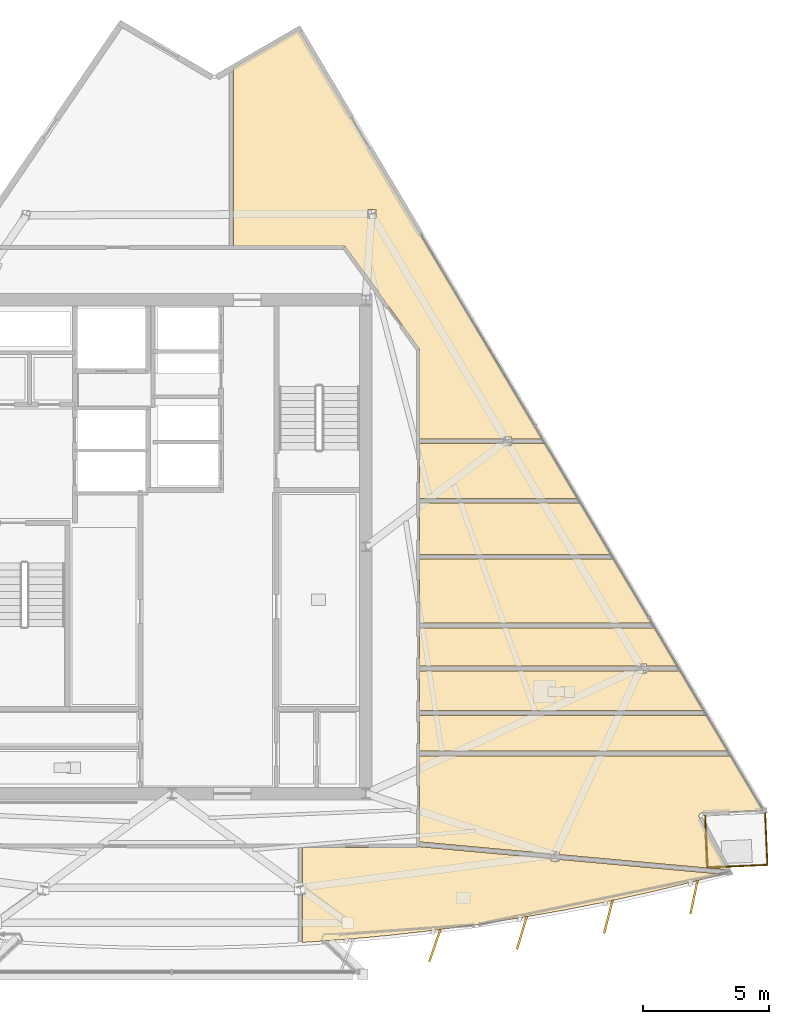
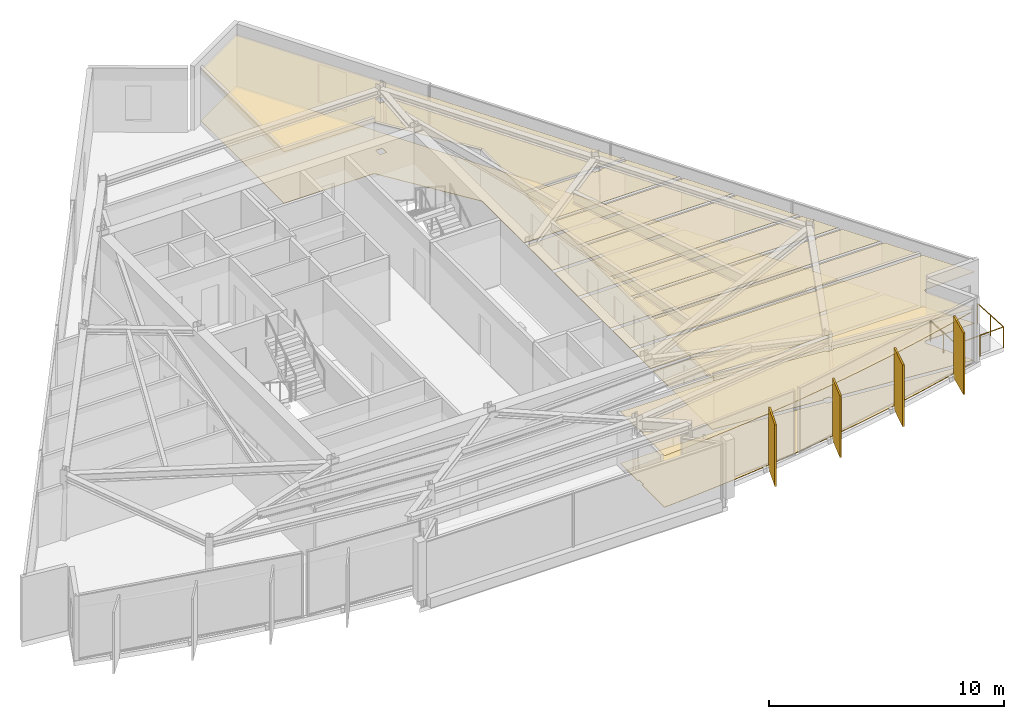
# One storey, part 12 of 13: 18 coverings, 4 shading devices, 3 railings.
"""IFC4 building model written with IfcOpenShell, lengths in metres."""

from ifc_helpers import new_model, si_unit, direction, frame, origin, origin_2d, place, context, subcontext, project, spatial, polyline, rectangle, circle, outline, extrude, material, layer, layer_set, type_object, element, save


model = new_model("IFC4")

# Units and contexts
model_context = context("Model", 3, precision=1e-05, world=origin(), true_north=direction((0.0, 1.0)))
body_context = subcontext(model_context, "Body", "Model", "MODEL_VIEW")
ifc_project = project(units=[si_unit("LENGTHUNIT", "METRE"), si_unit("AREAUNIT", "SQUARE_METRE"), si_unit("VOLUMEUNIT", "CUBIC_METRE"), si_unit("PLANEANGLEUNIT", "RADIAN"), si_unit("MASSUNIT", "GRAM", prefix="KILO")], contexts=[model_context])

# Site, building, storey
site_placement = place(None, origin())
site = spatial("IfcSite", under=ifc_project, at=site_placement, CompositionType="ELEMENT")
building_placement = place(site_placement, origin())
building = spatial("IfcBuilding", under=site, at=building_placement, Name="Savorim Split Tower", CompositionType="ELEMENT")
storey_placement = place(building_placement, frame((0.0, 0.0, 283.199951171875)))
storey = spatial("IfcBuildingStorey", under=building, at=storey_placement, Name="L75", CompositionType="ELEMENT", Elevation=283.199951171875)

# Coverings
ifc_material_1 = material(Name="Mineral Fibre Acoustic Ceiling")
ifc_layer_1 = layer(ifc_material_1, 0.02490234375)
ifc_layer_set_1 = layer_set([ifc_layer_1], Name="COV-CEIL-25")
covering_type_1 = type_object("IfcCoveringType", Name="COV-CEIL-25", PredefinedType="CEILING", material=ifc_layer_set_1)
covering_1_placement = place(storey_placement, frame((0.0, 0.0, 2.670166015625)))
element("IfcCovering", 1, at=covering_1_placement, inside=storey, type_object=covering_type_1, Name="L75 Communal Kitchen Acoustic Ceiling", PredefinedType="CEILING", context=body_context, shape_type="SweptSolid", body=[
    extrude(outline(polyline([(15.5078125, -14.036865234375), (17.2080078125, -13.7021484375), (18.90087890625, -13.332763671875), (20.5859375, -12.9287109375), (21.8466796875, -12.598876953125), (15.38671875, -12.0126953125), (15.38671875, -12.077392578125), (15.0576171875, -12.077392578125), (15.0576171875, -11.982666015625), (9.83056640625, -11.50830078125), (9.79248046875, -11.5048828125), (9.788818359375, -11.50830078125), (9.77783203125, -11.516357421875), (9.76611328125, -11.5234375), (9.753662109375, -11.529296875), (9.740478515625, -11.533935546875), (9.727294921875, -11.537353515625), (9.713623046875, -11.539306640625), (9.699951171875, -11.5400390625), (5.19677734375, -11.5400390625), (5.19677734375, -13.026611328125), (5.266357421875, -13.026611328125), (5.266357421875, -13.376708984375), (5.19677734375, -13.376708984375), (5.19677734375, -15.26416015625), (5.19677734375, -15.309326171875), (6.923583984375, -15.185546875), (8.649169921875, -15.026123046875), (10.37109375, -14.83154296875), (12.088623046875, -14.601806640625), (13.801025390625, -14.3369140625), (15.5078125, -14.036865234375)])), origin(), (0.0, 0.0, 1.0), 0.02490234375),
])
covering_2_placement = place(storey_placement, frame((0.0, 0.0, 2.670166015625)))
element("IfcCovering", 2, at=covering_2_placement, inside=storey, type_object=covering_type_1, Name="L75 Maker Workshop Acoustic Ceiling", PredefinedType="CEILING", context=body_context, shape_type="SweptSolid", body=[
    extrude(outline(polyline([(21.022705078125, -10.172119140625), (21.033935546875, -10.169921875), (21.04541015625, -10.168701171875), (23.469970703125, -10.065673828125), (22.185791015625, -7.906494140625), (9.840087890625, -7.906494140625), (9.840087890625, -11.318359375), (15.0576171875, -11.7919921875), (15.0576171875, -11.727294921875), (15.38671875, -11.727294921875), (15.38671875, -11.82177734375), (21.979248046875, -12.420166015625), (22.062255859375, -12.427734375), (20.94482421875, -10.345458984375), (20.93994140625, -10.3349609375), (20.93603515625, -10.32421875), (20.93310546875, -10.31298828125), (20.931396484375, -10.301513671875), (20.9306640625, -10.2900390625), (20.930908203125, -10.278564453125), (20.9326171875, -10.26708984375), (20.935302734375, -10.255859375), (20.93896484375, -10.244873046875), (20.943603515625, -10.234375), (20.94921875, -10.224365234375), (20.9560546875, -10.21484375), (20.96337890625, -10.206298828125), (20.9716796875, -10.1982421875), (20.98095703125, -10.19091796875), (20.990478515625, -10.184814453125), (21.0009765625, -10.179443359375), (21.01171875, -10.17529296875), (21.022705078125, -10.172119140625)])), origin(), (0.0, 0.0, 1.0), 0.02490234375),
])
covering_3_placement = place(storey_placement, frame((0.0, 0.0, 2.670166015625)))
element("IfcCovering", 3, at=covering_3_placement, inside=storey, type_object=covering_type_1, Name="L75 Co-Living Bedroom Acoustic Ceiling", PredefinedType="CEILING", context=body_context, shape_type="SweptSolid", body=[
    extrude(outline(polyline([(22.072998046875, -7.71630859375), (21.225341796875, -6.290771484375), (9.840087890625, -6.290771484375), (9.840087890625, -7.71630859375), (22.072998046875, -7.71630859375)])), origin(), (0.0, 0.0, 1.0), 0.02490234375),
])
covering_4_placement = place(storey_placement, frame((0.0, 0.0, 2.670166015625)))
element("IfcCovering", 4, at=covering_4_placement, inside=storey, type_object=covering_type_1, Name="L75 Shared Bathroom Acoustic Ceiling", PredefinedType="CEILING", context=body_context, shape_type="SweptSolid", body=[
    extrude(outline(polyline([(18.515380859375, -4.60888671875), (18.515380859375, -4.529052734375), (9.840087890625, -4.529052734375), (9.840087890625, -6.100830078125), (21.1123046875, -6.100830078125), (20.157958984375, -4.495849609375), (20.157958984375, -4.529052734375), (18.844482421875, -4.529052734375), (18.844482421875, -4.60888671875), (18.515380859375, -4.60888671875)])), origin(), (0.0, 0.0, 1.0), 0.02490234375),
])
covering_5_placement = place(storey_placement, frame((0.0, 0.0, 2.670166015625)))
element("IfcCovering", 5, at=covering_5_placement, inside=storey, type_object=covering_type_1, Name="L75 Maker Workshop Acoustic Ceiling", PredefinedType="CEILING", context=body_context, shape_type="SweptSolid", body=[
    extrude(outline(polyline([(18.844482421875, -4.259033203125), (18.844482421875, -4.339111328125), (20.06298828125, -4.339111328125), (20.064697265625, -4.339111328125), (19.163818359375, -2.82373046875), (9.840087890625, -2.82373046875), (9.840087890625, -4.339111328125), (18.515380859375, -4.339111328125), (18.515380859375, -4.259033203125), (18.844482421875, -4.259033203125)])), origin(), (0.0, 0.0, 1.0), 0.02490234375),
])
covering_6_placement = place(storey_placement, frame((0.0, 0.0, 2.670166015625)))
element("IfcCovering", 6, at=covering_6_placement, inside=storey, type_object=covering_type_1, Name="L75 Quiet Study Room Acoustic Ceiling", PredefinedType="CEILING", context=body_context, shape_type="SweptSolid", body=[
    extrude(outline(polyline([(19.05078125, -2.6337890625), (17.5380859375, -0.090087890625), (9.840087890625, -0.090087890625), (9.840087890625, -2.6337890625), (19.05078125, -2.6337890625)])), origin(), (0.0, 0.0, 1.0), 0.02490234375),
])
covering_7_placement = place(storey_placement, frame((0.0, 0.0, 2.670166015625)))
element("IfcCovering", 7, at=covering_7_placement, inside=storey, type_object=covering_type_1, Name="L75 Maker Workshop Acoustic Ceiling", PredefinedType="CEILING", context=body_context, shape_type="SweptSolid", body=[
    extrude(outline(polyline([(17.42529296875, 0.099853515625), (16.218505859375, 2.12939453125), (9.840087890625, 2.12939453125), (9.840087890625, 0.099853515625), (17.42529296875, 0.099853515625)])), origin(), (0.0, 0.0, 1.0), 0.02490234375),
])
covering_8_placement = place(storey_placement, frame((0.0, 0.0, 2.670166015625)))
element("IfcCovering", 8, at=covering_8_placement, inside=storey, type_object=covering_type_1, Name="L75 Maker Workshop Acoustic Ceiling", PredefinedType="CEILING", context=body_context, shape_type="SweptSolid", body=[
    extrude(outline(polyline([(13.1494140625, 4.4150390625), (13.1494140625, 4.4951171875), (9.840087890625, 4.4951171875), (9.840087890625, 2.3193359375), (16.10546875, 2.3193359375), (14.7919921875, 4.528076171875), (14.7919921875, 4.4951171875), (13.478515625, 4.4951171875), (13.478515625, 4.4150390625), (13.1494140625, 4.4150390625)])), origin(), (0.0, 0.0, 1.0), 0.02490234375),
])
covering_9_placement = place(storey_placement, frame((0.0, 0.0, 2.670166015625)))
element("IfcCovering", 9, at=covering_9_placement, inside=storey, type_object=covering_type_1, Name="L75 Maker Workshop Acoustic Ceiling", PredefinedType="CEILING", context=body_context, shape_type="SweptSolid", body=[
    extrude(outline(polyline([(14.697021484375, 4.68505859375), (14.69873046875, 4.68505859375), (5.039794921875, 20.92919921875), (2.451171875, 19.420654296875), (2.451171875, 12.340087890625), (6.800048828125, 12.340087890625), (6.813232421875, 12.33935546875), (6.826416015625, 12.33740234375), (6.839111328125, 12.33447265625), (6.8515625, 12.330078125), (6.863525390625, 12.32470703125), (6.875, 12.318115234375), (6.885986328125, 12.310546875), (6.89599609375, 12.302001953125), (6.905029296875, 12.29248046875), (6.913330078125, 12.2822265625), (9.813232421875, 8.2822265625), (9.8212890625, 8.27001953125), (9.827880859375, 8.2568359375), (9.833251953125, 8.2431640625), (9.8369140625, 8.22900390625), (9.839111328125, 8.214599609375), (9.840087890625, 8.199951171875), (9.840087890625, 4.68505859375), (13.1494140625, 4.68505859375), (13.1494140625, 4.764892578125), (13.478515625, 4.764892578125), (13.478515625, 4.68505859375), (14.697021484375, 4.68505859375)]), holes=[polyline([(8.11279296875, 13.788818359375), (7.78369140625, 13.788818359375), (7.78369140625, 13.43896484375), (8.11279296875, 13.43896484375), (8.11279296875, 13.788818359375)])]), origin(), (0.0, 0.0, 1.0), 0.02490234375),
])
ifc_material_2 = material(Name="Porcelain Stoneware Flooring", Category="masonry")
ifc_layer_2 = layer(ifc_material_2, 0.02001953125)
ifc_layer_set_2 = layer_set([ifc_layer_2], Name="COV-FLOR-20")
covering_type_2 = type_object("IfcCoveringType", Name="COV-FLOR-20", PredefinedType="FLOORING", material=ifc_layer_set_2)
covering_10_placement = place(storey_placement, origin())
element("IfcCovering", 10, at=covering_10_placement, inside=storey, type_object=covering_type_2, Name="L75 Communal Kitchen Porcelain Flooring", PredefinedType="FLOORING", context=body_context, shape_type="SweptSolid", body=[
    extrude(outline(polyline([(15.5078125, -14.036865234375), (17.2080078125, -13.7021484375), (18.90087890625, -13.332763671875), (20.5859375, -12.9287109375), (21.8466796875, -12.598876953125), (15.38671875, -12.0126953125), (15.38671875, -12.077392578125), (15.0576171875, -12.077392578125), (15.0576171875, -11.982666015625), (9.83056640625, -11.50830078125), (9.79248046875, -11.5048828125), (9.788818359375, -11.50830078125), (9.77783203125, -11.516357421875), (9.76611328125, -11.5234375), (9.753662109375, -11.529296875), (9.740478515625, -11.533935546875), (9.727294921875, -11.537353515625), (9.713623046875, -11.539306640625), (9.699951171875, -11.5400390625), (5.19677734375, -11.5400390625), (5.19677734375, -13.026611328125), (5.266357421875, -13.026611328125), (5.266357421875, -13.376708984375), (5.19677734375, -13.376708984375), (5.19677734375, -15.26416015625), (5.19677734375, -15.309326171875), (6.923583984375, -15.185546875), (8.649169921875, -15.026123046875), (10.37109375, -14.83154296875), (12.088623046875, -14.601806640625), (13.801025390625, -14.3369140625), (15.5078125, -14.036865234375)])), origin(), (0.0, 0.0, 1.0), 0.02001953125),
])
covering_11_placement = place(storey_placement, origin())
element("IfcCovering", 11, at=covering_11_placement, inside=storey, type_object=covering_type_2, Name="L75 Maker Workshop Porcelain Flooring", PredefinedType="FLOORING", context=body_context, shape_type="SweptSolid", body=[
    extrude(outline(polyline([(21.022705078125, -10.172119140625), (21.033935546875, -10.169921875), (21.04541015625, -10.168701171875), (23.469970703125, -10.065673828125), (22.185791015625, -7.906494140625), (9.840087890625, -7.906494140625), (9.840087890625, -11.318359375), (15.0576171875, -11.7919921875), (15.0576171875, -11.727294921875), (15.38671875, -11.727294921875), (15.38671875, -11.82177734375), (21.979248046875, -12.420166015625), (22.062255859375, -12.427734375), (20.94482421875, -10.345458984375), (20.93994140625, -10.3349609375), (20.93603515625, -10.32421875), (20.93310546875, -10.31298828125), (20.931396484375, -10.301513671875), (20.9306640625, -10.2900390625), (20.930908203125, -10.278564453125), (20.9326171875, -10.26708984375), (20.935302734375, -10.255859375), (20.93896484375, -10.244873046875), (20.943603515625, -10.234375), (20.94921875, -10.224365234375), (20.9560546875, -10.21484375), (20.96337890625, -10.206298828125), (20.9716796875, -10.1982421875), (20.98095703125, -10.19091796875), (20.990478515625, -10.184814453125), (21.0009765625, -10.179443359375), (21.01171875, -10.17529296875), (21.022705078125, -10.172119140625)])), origin(), (0.0, 0.0, 1.0), 0.02001953125),
])
covering_12_placement = place(storey_placement, origin())
element("IfcCovering", 12, at=covering_12_placement, inside=storey, type_object=covering_type_2, Name="L75 Co-Living Bedroom Porcelain Flooring", PredefinedType="FLOORING", context=body_context, shape_type="SweptSolid", body=[
    extrude(outline(polyline([(22.072998046875, -7.71630859375), (21.225341796875, -6.290771484375), (9.840087890625, -6.290771484375), (9.840087890625, -7.71630859375), (22.072998046875, -7.71630859375)])), origin(), (0.0, 0.0, 1.0), 0.02001953125),
])
covering_13_placement = place(storey_placement, origin())
element("IfcCovering", 13, at=covering_13_placement, inside=storey, type_object=covering_type_2, Name="L75 Shared Bathroom Porcelain Flooring", PredefinedType="FLOORING", context=body_context, shape_type="SweptSolid", body=[
    extrude(outline(polyline([(18.515380859375, -4.60888671875), (18.515380859375, -4.529052734375), (9.840087890625, -4.529052734375), (9.840087890625, -6.100830078125), (21.1123046875, -6.100830078125), (20.157958984375, -4.495849609375), (20.157958984375, -4.529052734375), (18.844482421875, -4.529052734375), (18.844482421875, -4.60888671875), (18.515380859375, -4.60888671875)])), origin(), (0.0, 0.0, 1.0), 0.02001953125),
])
covering_14_placement = place(storey_placement, origin())
element("IfcCovering", 14, at=covering_14_placement, inside=storey, type_object=covering_type_2, Name="L75 Maker Workshop Porcelain Flooring", PredefinedType="FLOORING", context=body_context, shape_type="SweptSolid", body=[
    extrude(outline(polyline([(18.844482421875, -4.259033203125), (18.844482421875, -4.339111328125), (20.06298828125, -4.339111328125), (20.064697265625, -4.339111328125), (19.163818359375, -2.82373046875), (9.840087890625, -2.82373046875), (9.840087890625, -4.339111328125), (18.515380859375, -4.339111328125), (18.515380859375, -4.259033203125), (18.844482421875, -4.259033203125)])), origin(), (0.0, 0.0, 1.0), 0.02001953125),
])
covering_15_placement = place(storey_placement, origin())
element("IfcCovering", 15, at=covering_15_placement, inside=storey, type_object=covering_type_2, Name="L75 Quiet Study Room Porcelain Flooring", PredefinedType="FLOORING", context=body_context, shape_type="SweptSolid", body=[
    extrude(outline(polyline([(19.05078125, -2.6337890625), (17.5380859375, -0.090087890625), (9.840087890625, -0.090087890625), (9.840087890625, -2.6337890625), (19.05078125, -2.6337890625)])), origin(), (0.0, 0.0, 1.0), 0.02001953125),
])
covering_16_placement = place(storey_placement, origin())
element("IfcCovering", 16, at=covering_16_placement, inside=storey, type_object=covering_type_2, Name="L75 Maker Workshop Porcelain Flooring", PredefinedType="FLOORING", context=body_context, shape_type="SweptSolid", body=[
    extrude(outline(polyline([(17.42529296875, 0.099853515625), (16.218505859375, 2.12939453125), (9.840087890625, 2.12939453125), (9.840087890625, 0.099853515625), (17.42529296875, 0.099853515625)])), origin(), (0.0, 0.0, 1.0), 0.02001953125),
])
covering_17_placement = place(storey_placement, origin())
element("IfcCovering", 17, at=covering_17_placement, inside=storey, type_object=covering_type_2, Name="L75 Maker Workshop Porcelain Flooring", PredefinedType="FLOORING", context=body_context, shape_type="SweptSolid", body=[
    extrude(outline(polyline([(13.1494140625, 4.4150390625), (13.1494140625, 4.4951171875), (9.840087890625, 4.4951171875), (9.840087890625, 2.3193359375), (16.10546875, 2.3193359375), (14.7919921875, 4.528076171875), (14.7919921875, 4.4951171875), (13.478515625, 4.4951171875), (13.478515625, 4.4150390625), (13.1494140625, 4.4150390625)])), origin(), (0.0, 0.0, 1.0), 0.02001953125),
])
covering_18_placement = place(storey_placement, origin())
element("IfcCovering", 18, at=covering_18_placement, inside=storey, type_object=covering_type_2, Name="L75 Maker Workshop Porcelain Flooring", PredefinedType="FLOORING", context=body_context, shape_type="SweptSolid", body=[
    extrude(outline(polyline([(14.697021484375, 4.68505859375), (14.69873046875, 4.68505859375), (5.039794921875, 20.92919921875), (2.451171875, 19.420654296875), (2.451171875, 12.340087890625), (6.800048828125, 12.340087890625), (6.813232421875, 12.33935546875), (6.826416015625, 12.33740234375), (6.839111328125, 12.33447265625), (6.8515625, 12.330078125), (6.863525390625, 12.32470703125), (6.875, 12.318115234375), (6.885986328125, 12.310546875), (6.89599609375, 12.302001953125), (6.905029296875, 12.29248046875), (6.913330078125, 12.2822265625), (9.813232421875, 8.2822265625), (9.8212890625, 8.27001953125), (9.827880859375, 8.2568359375), (9.833251953125, 8.2431640625), (9.8369140625, 8.22900390625), (9.839111328125, 8.214599609375), (9.840087890625, 8.199951171875), (9.840087890625, 4.68505859375), (13.1494140625, 4.68505859375), (13.1494140625, 4.764892578125), (13.478515625, 4.764892578125), (13.478515625, 4.68505859375), (14.697021484375, 4.68505859375)]), holes=[polyline([(8.11279296875, 13.788818359375), (7.78369140625, 13.788818359375), (7.78369140625, 13.43896484375), (8.11279296875, 13.43896484375), (8.11279296875, 13.788818359375)])]), origin(), (0.0, 0.0, 1.0), 0.02001953125),
])

# Railings
ifc_material_3 = material(Name="Galvanised Painted Steel Balustrade", Category="steel")
railing_type = type_object("IfcRailingType", Name="RLG-BAL-1100", PredefinedType="BALUSTRADE", material=ifc_material_3)
railing_1_placement = place(storey_placement, frame((23.555908203125, -10.18212890625, 0.0)))
element("IfcRailing", 19, at=railing_1_placement, inside=storey, type_object=railing_type, Name="L75 Tree Balcony Guardrail SE-1", PredefinedType="BALUSTRADE", context=body_context, shape_type="SweptSolid", body=[
    extrude(circle(Radius=0.02392578125, at=origin_2d()), frame((0.0, 0.0, 1.076171875), z_axis=(0.042517246, -0.999095733047, 0.0), x_axis=(0.999095733047, 0.042517246, 0.0)), (0.0, 0.0, 1.0), 2.050048828125),
    extrude(circle(Radius=0.02099609375, at=origin_2d()), origin(), (0.0, 0.0, 1.0), 1.052001953125),
    extrude(circle(Radius=0.02099609375, at=origin_2d()), frame((0.04345703125, -1.02392578125, 0.0)), (0.0, 0.0, 1.0), 1.052001953125),
    extrude(circle(Radius=0.02099609375, at=origin_2d()), frame((0.087158203125, -2.048095703125, 0.0)), (0.0, 0.0, 1.0), 1.052001953125),
])
railing_2_placement = place(storey_placement, frame((23.64306640625, -12.230224609375, 0.0)))
element("IfcRailing", 20, at=railing_2_placement, inside=storey, type_object=railing_type, Name="L75 Tree Balcony Guardrail SE-2", PredefinedType="BALUSTRADE", context=body_context, shape_type="SweptSolid", body=[
    extrude(circle(Radius=0.02392578125, at=origin_2d()), frame((0.0, 0.0, 1.076171875), z_axis=(-0.999094731317, -0.042540778734, 0.0), x_axis=(0.042540778734, -0.999094731317, 0.0)), (0.0, 0.0, 1.0), 2.387451171875),
    extrude(circle(Radius=0.02099609375, at=origin_2d()), origin(), (0.0, 0.0, 1.0), 1.052001953125),
    extrude(circle(Radius=0.02099609375, at=origin_2d()), frame((-1.192626953125, -0.05078125, 0.0)), (0.0, 0.0, 1.0), 1.052001953125),
    extrude(circle(Radius=0.02099609375, at=origin_2d()), frame((-2.38525390625, -0.1015625, 0.0)), (0.0, 0.0, 1.0), 1.052001953125),
])
railing_3_placement = place(storey_placement, frame((21.2578125, -12.331787109375, 0.0)))
element("IfcRailing", 21, at=railing_3_placement, inside=storey, type_object=railing_type, Name="L75 Tree Balcony Guardrail SE-3", PredefinedType="BALUSTRADE", context=body_context, shape_type="SweptSolid", body=[
    extrude(circle(Radius=0.02392578125, at=origin_2d()), frame((0.0, 0.0, 1.076171875), z_axis=(-0.042636125732, 0.999090666948, 0.0), x_axis=(-0.999090666948, -0.042636125732, 0.0)), (0.0, 0.0, 1.0), 2.050048828125),
    extrude(circle(Radius=0.02099609375, at=origin_2d()), origin(), (0.0, 0.0, 1.0), 1.052001953125),
    extrude(circle(Radius=0.02099609375, at=origin_2d()), frame((-0.043701171875, 1.02392578125, 0.0)), (0.0, 0.0, 1.0), 1.052001953125),
    extrude(circle(Radius=0.02099609375, at=origin_2d()), frame((-0.08740234375, 2.048095703125, 0.0)), (0.0, 0.0, 1.0), 1.052001953125),
])

# Shading devices
ifc_material_4 = material(Name="Terracotta Ceramic-Coated Aluminium Fin", Category="masonry")
shading_device_type = type_object("IfcShadingDeviceType", Name="SHD-FIN-1360", PredefinedType="USERDEFINED", material=ifc_material_4)
for number, where, z_axis, x_axis, name in (
    (22, (10.444091796875, -15.423095703125, -0.19970703125), (0.0, 0.0, 1.0), (-0.324993810493, -0.945716143005, 0.0), "L75 Sawtooth Shading Fin 10"),
    (23, (13.898193359375, -14.9248046875, -0.19970703125), (0.0, 0.0, 1.0), (-0.286026212504, -0.958221793616, 0.0), "L75 Sawtooth Shading Fin 11"),
    (24, (17.3291015625, -14.28564453125, -0.19970703125), (0.0, 0.0, 1.0), (-0.246581250663, -0.969122121727, 0.0), "L75 Sawtooth Shading Fin 12"),
    (25, (20.73095703125, -13.5068359375, -0.19970703125), (0.0, 0.0, 1.0), (-0.206721626106, -0.978399800337, 0.0), "L75 Sawtooth Shading Fin 13"),
):
    element("IfcShadingDevice", number, at=place(storey_placement, frame(where, z_axis=z_axis, x_axis=x_axis)), inside=storey, type_object=shading_device_type, Name=name, ObjectType="FIN", PredefinedType="USERDEFINED", context=body_context, shape_type="SweptSolid", body=[
        extrude(rectangle(XDim=1.360107421875, YDim=0.080078125, at=origin_2d()), origin(), (0.0, 0.0, 1.0), 3.199951171875),
    ])

save(model, "model.ifc")
